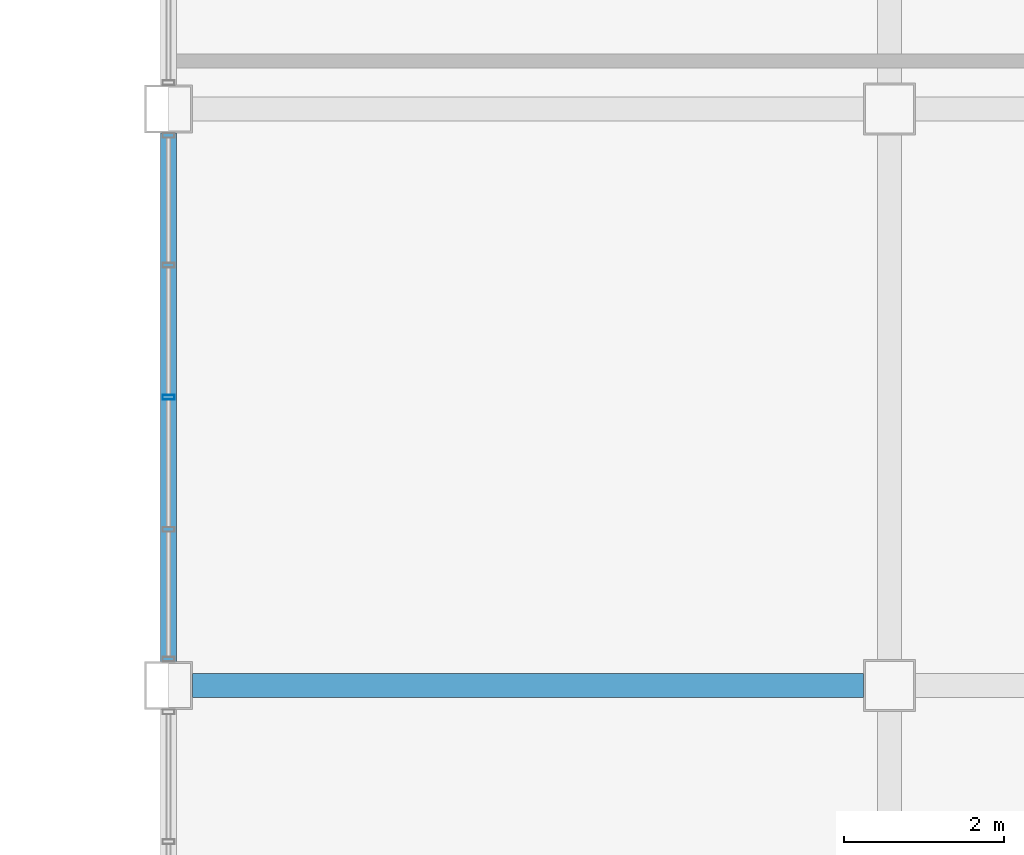
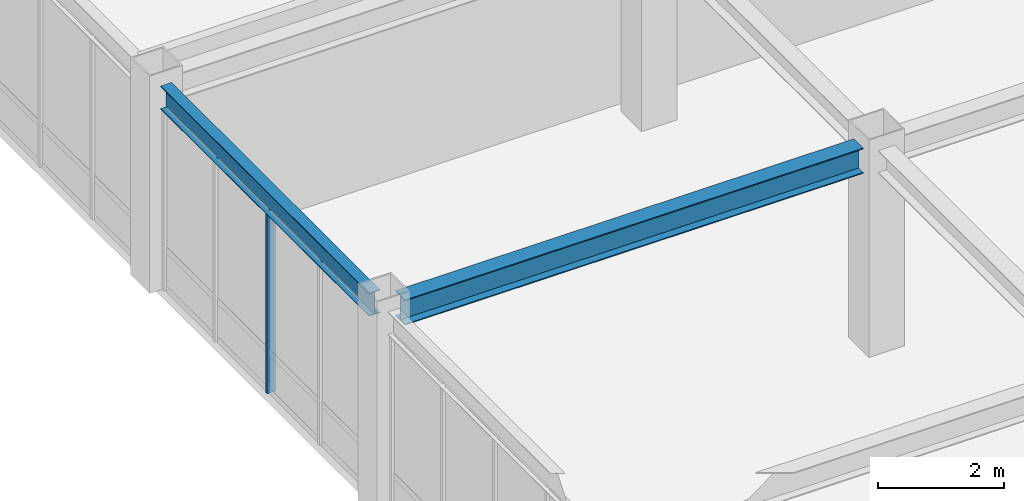
# One storey, part 45 of 106: 2 beams, 1 member, 1 element without a shape of its own.
"""IFC4 building model written with IfcOpenShell, lengths in metres."""

from ifc_helpers import new_model, si_unit, direction, frame, origin, origin_2d, place, context, subcontext, project, spatial, hollow_rectangle, i_section, extrude, material, material_profile, profile_set, type_object, element, aggregate, save


model = new_model("IFC4")

# Units and contexts
model_context = context("Model", 3, precision=1e-05, world=origin(), true_north=direction((0.0, 1.0)))
body_context = subcontext(model_context, "Body", "Model", "MODEL_VIEW")
ifc_project = project(units=[si_unit("LENGTHUNIT", "METRE"), si_unit("AREAUNIT", "SQUARE_METRE"), si_unit("VOLUMEUNIT", "CUBIC_METRE"), si_unit("PLANEANGLEUNIT", "RADIAN"), si_unit("MASSUNIT", "GRAM", prefix="KILO")], contexts=[model_context])

# Site, building, storey
site_placement = place(None, origin())
site = spatial("IfcSite", under=ifc_project, at=site_placement, CompositionType="ELEMENT")
building_placement = place(site_placement, origin())
building = spatial("IfcBuilding", under=site, at=building_placement, Name="Kazanami Central Library", CompositionType="ELEMENT")
storey_placement = place(building_placement, frame((0.0, 0.0, 12.800048828125)))
storey = spatial("IfcBuildingStorey", under=building, at=storey_placement, Name="L04", CompositionType="ELEMENT", Elevation=12.800048828125)

# Beams
ifc_material_1 = material(Name="Steel SN490B (325 MPa)", Category="steel")
ifc_material_profile_1 = material_profile(ifc_material_1, i_section(OverallWidth=0.300048828125, OverallDepth=0.488037109375, WebThickness=0.010986328125, FlangeThickness=0.01806640625, at=origin_2d()), Name="H-488x300x11x18")
ifc_profile_set_1 = profile_set([ifc_material_profile_1], Name="Steel SN490B (325 MPa)")
beam_type_1 = type_object("IfcBeamType", Name="BM-G-X5", PredefinedType="BEAM", material=ifc_profile_set_1)
beam_1_placement = place(storey_placement, frame((117.298095703125, 57.60009765625, 3.696044921875), z_axis=(1.0, 0.0, 0.0), x_axis=(0.0, 1.0, 0.0)))
element("IfcBeam", 1, at=beam_1_placement, inside=storey, type_object=beam_type_1, Name="Girder G-X5 L04 J/14-15", PredefinedType="BEAM", context=body_context, shape_type="SweptSolid", body=[
    extrude(i_section(OverallWidth=0.300048828125, OverallDepth=0.488037109375, WebThickness=0.010986328125, FlangeThickness=0.01806640625, at=origin_2d()), origin(), (0.0, 0.0, 1.0), 8.37890625),
])
ifc_material_profile_2 = material_profile(ifc_material_1, i_section(OverallWidth=0.199951171875, OverallDepth=0.449951171875, WebThickness=0.009033203125, FlangeThickness=0.013916015625, at=origin_2d()), Name="H-450x200x9x14")
ifc_profile_set_2 = profile_set([ifc_material_profile_2], Name="Steel SN490B (325 MPa)")
beam_type_2 = type_object("IfcBeamType", Name="BM-SP-2", PredefinedType="SPANDREL", material=ifc_profile_set_2)
beam_2_placement = place(storey_placement, frame((117.0, 57.89794921875, 3.71484375), z_axis=(0.0, 1.0, 0.0), x_axis=(-1.0, 0.0, 0.0)))
element("IfcBeam", 2, at=beam_2_placement, inside=storey, type_object=beam_type_2, Name="Girder SP-2 L04 14/J-K", PredefinedType="SPANDREL", context=body_context, shape_type="SweptSolid", body=[
    extrude(i_section(OverallWidth=0.199951171875, OverallDepth=0.449951171875, WebThickness=0.009033203125, FlangeThickness=0.013916015625, at=origin_2d()), origin(), (0.0, 0.0, 1.0), 6.60400390625),
])

# Curtain wall, member
ifc_material_2 = material(Name="Acid-Etched Low-E Laminated Glass", Category="glass")
curtain_wall_type = type_object("IfcCurtainWallType", Name="CW-6600x3490-M180", PredefinedType="USERDEFINED", material=ifc_material_2)
curtain_wall_placement = place(storey_placement, origin())
curtain_wall = element("IfcCurtainWall", 3, at=curtain_wall_placement, inside=storey, type_object=curtain_wall_type, Name="Covered Link Bridge Curtain Wall CW-48 L04 W-14-08", ObjectType="UNITISED CURTAIN WALL", PredefinedType="USERDEFINED")
ifc_material_3 = material(Name="Anodised Aluminium A6063-T5", Category="aluminium")
ifc_material_profile_3 = material_profile(ifc_material_3, hollow_rectangle(XDim=0.06005859375, YDim=0.14990234375, WallThickness=0.00390625, at=origin_2d()), Name="ALU-MULL-60x150x4")
ifc_profile_set_3 = profile_set([ifc_material_profile_3], Name="Anodised Aluminium A6063-T5")
member_type = type_object("IfcMemberType", Name="MEM-CW-M3", PredefinedType="MULLION", material=ifc_profile_set_3)
member_placement = place(storey_placement, frame((117.0, 61.199951171875, 0.0), z_axis=(0.0, 0.0, 1.0), x_axis=(0.0, 1.0, 0.0)))
member = element("IfcMember", 4, at=member_placement, type_object=member_type, Name="CW-48 mullion 3", PredefinedType="MULLION", context=body_context, shape_type="SweptSolid", body=[
    extrude(hollow_rectangle(XDim=0.06005859375, YDim=0.14990234375, WallThickness=0.00390625, at=origin_2d()), origin(), (0.0, 0.0, 1.0), 3.489990234375),
])
aggregate(curtain_wall, [member])

save(model, "model.ifc")
